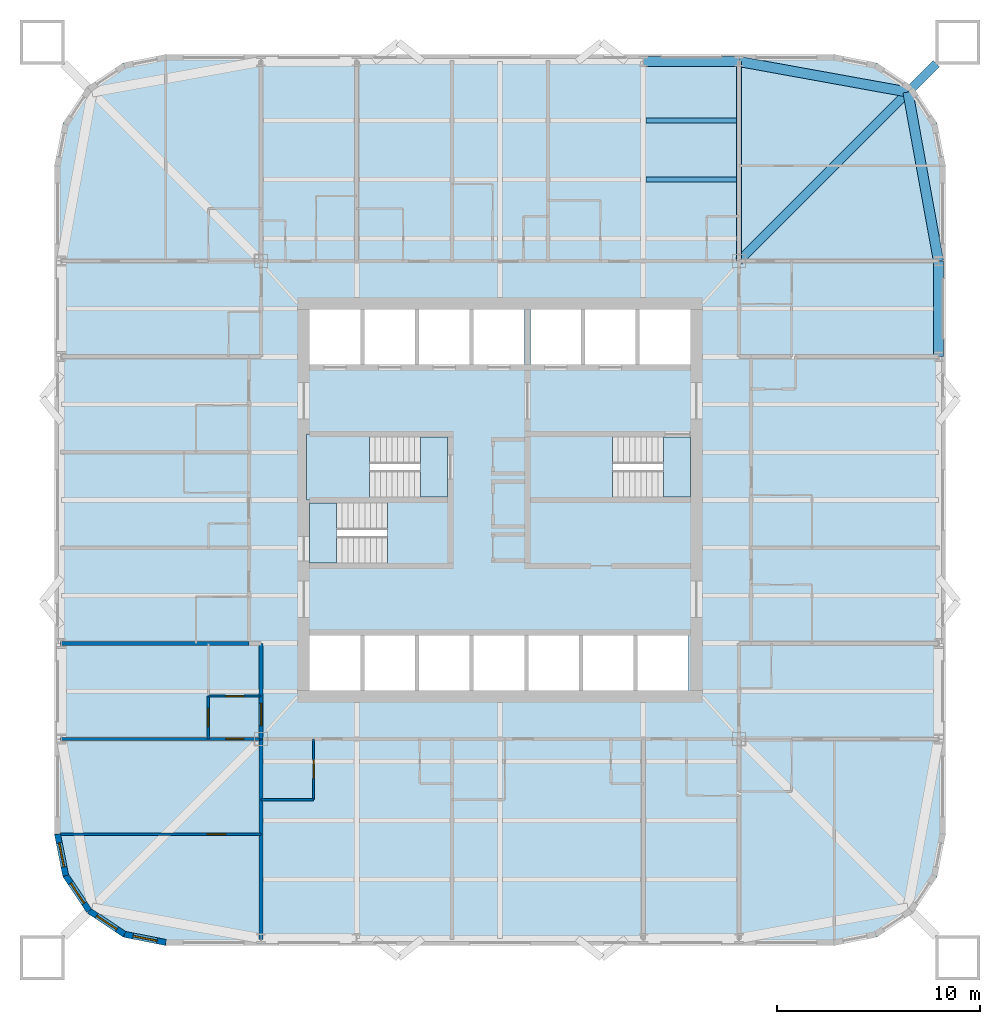
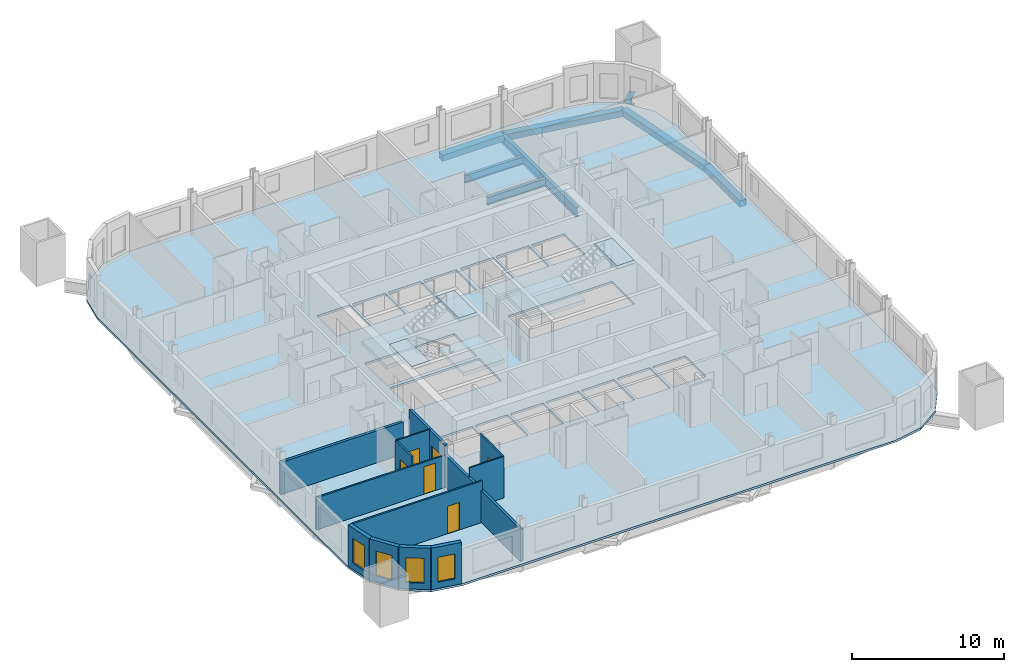
# One storey, part 2 of 9: 13 walls, 8 beams, 7 slabs, 6 doors, 4 windows, 10 openings, 3 elements without a shape of their own.
"""IFC4 building model written with IfcOpenShell, lengths in metres."""

from ifc_helpers import new_model, si_unit, direction, frame, frame_2d, origin, origin_2d, place, context, subcontext, project, spatial, polyline, rectangle, hollow_rectangle, i_section, outline, extrude, material, layer, layer_set, material_profile, profile_set, type_object, element, fill, aggregate, save


model = new_model("IFC4")

# Units and contexts
model_context = context("Model", 3, precision=1e-05, world=origin(), true_north=direction((0.0, 1.0)))
body_context = subcontext(model_context, "Body", "Model", "MODEL_VIEW")
ifc_project = project(units=[si_unit("LENGTHUNIT", "METRE"), si_unit("AREAUNIT", "SQUARE_METRE"), si_unit("VOLUMEUNIT", "CUBIC_METRE"), si_unit("PLANEANGLEUNIT", "RADIAN"), si_unit("MASSUNIT", "GRAM", prefix="KILO")], contexts=[model_context])

# Site, building, storey
site_placement = place(None, origin())
site = spatial("IfcSite", under=ifc_project, at=site_placement, CompositionType="ELEMENT")
building_placement = place(site_placement, origin())
building = spatial("IfcBuilding", under=site, at=building_placement, Name="Turquesa Mirador Hotel Tower", CompositionType="ELEMENT")
storey_placement = place(building_placement, frame((0.0, 0.0, 49.5)))
storey = spatial("IfcBuildingStorey", under=building, at=storey_placement, Name="L12", CompositionType="ELEMENT", Elevation=49.5)

# Beams
ifc_material_1 = material(Name="Steel ASTM A572 Grade 50", Category="steel")
ifc_material_profile_1 = material_profile(ifc_material_1, hollow_rectangle(XDim=0.5, YDim=0.5, WallThickness=0.01611328125, at=origin_2d()), Name="BOX500X500X16")
ifc_profile_set_1 = profile_set([ifc_material_profile_1], Name="Steel ASTM A572 Grade 50")
beam_type_1 = type_object("IfcBeamType", Name="BEAM BOX500X500X16", PredefinedType="BEAM", material=ifc_profile_set_1)
for number, where, z_axis, x_axis, name in (
    (1, (62.080078125, 66.64990234375, -0.419921875), (1.0, 0.0, 0.0), (0.0, 1.0, 0.0), "EB-L12-N-R"),
    (2, (76.64990234375, 52.080078125, -0.419921875), (0.0, 1.0, 0.0), (-1.0, 0.0, 0.0), "EB-L12-E-R"),
):
    element("IfcBeam", number, at=place(storey_placement, frame(where, z_axis=z_axis, x_axis=x_axis)), inside=storey, type_object=beam_type_1, Name=name, PredefinedType="BEAM", context=body_context, shape_type="SweptSolid", body=[
        extrude(hollow_rectangle(XDim=0.5, YDim=0.5, WallThickness=0.01611328125, at=origin_2d()), origin(), (0.0, 0.0, 1.0), 4.719970703125),
    ])
for number, where, z_axis, x_axis, name in (
    (3, (76.64990234375, 56.800048828125, -0.419921875), (-0.177932387818, 0.984042715214, 0.0), (-0.984042715214, -0.177932387818, 0.0), "KE-L12-1-0"),
    (4, (75.1416015625, 65.1416015625, -0.419921875), (-0.984042715214, 0.177932387818, 0.0), (-0.177932387818, -0.984042715214, 0.0), "KE-L12-1-1"),
):
    element("IfcBeam", number, at=place(storey_placement, frame(where, z_axis=z_axis, x_axis=x_axis)), inside=storey, type_object=beam_type_1, Name=name, PredefinedType="BEAM", context=body_context, shape_type="SweptSolid", body=[
        extrude(hollow_rectangle(XDim=0.5, YDim=0.5, WallThickness=0.01611328125, at=origin_2d()), origin(), (0.0, 0.0, 1.0), 8.476806640625),
    ])
ifc_material_2 = material(Name="Steel ASTM A992 Grade 50", Category="steel")
ifc_material_profile_2 = material_profile(ifc_material_2, i_section(OverallWidth=0.228271484375, OverallDepth=0.607177734375, WebThickness=0.01123046875, FlangeThickness=0.017333984375, at=origin_2d()), Name="W24X76")
ifc_profile_set_2 = profile_set([ifc_material_profile_2], Name="Steel ASTM A992 Grade 50")
beam_type_2 = type_object("IfcBeamType", Name="BEAM W24X76", PredefinedType="BEAM", material=ifc_profile_set_2)
for number, where, z_axis, x_axis, name in (
    (5, (62.21337890625, 60.824951171875, -0.4736328125), (1.0, 0.0, 0.0), (0.0, 1.0, 0.0), "IB-L12-N-2-3"),
    (6, (62.21337890625, 63.737060546875, -0.4736328125), (1.0, 0.0, 0.0), (0.0, 1.0, 0.0), "IB-L12-N-3-3"),
):
    element("IfcBeam", number, at=place(storey_placement, frame(where, z_axis=z_axis, x_axis=x_axis)), inside=storey, type_object=beam_type_2, Name=name, PredefinedType="BEAM", context=body_context, shape_type="SweptSolid", body=[
        extrude(i_section(OverallWidth=0.228271484375, OverallDepth=0.607177734375, WebThickness=0.01123046875, FlangeThickness=0.017333984375, at=origin_2d()), origin(), (0.0, 0.0, 1.0), 4.453369140625),
    ])
ifc_material_3 = material(Name="Steel ASTM A992 Grade 50", Category="steel")
ifc_material_profile_3 = material_profile(ifc_material_3, i_section(OverallWidth=0.2666015625, OverallDepth=0.7568359375, WebThickness=0.013916015625, FlangeThickness=0.019287109375, at=origin_2d()), Name="W30X108")
ifc_profile_set_3 = profile_set([ifc_material_profile_3], Name="Steel ASTM A992 Grade 50")
beam_type_3 = type_object("IfcBeamType", Name="BEAM W30X108", PredefinedType="BEAM", material=ifc_profile_set_3)
beam_1_placement = place(storey_placement, frame((66.800048828125, 66.64990234375, -0.54833984375), z_axis=(0.0, -1.0, 0.0), x_axis=(1.0, 0.0, 0.0)))
element("IfcBeam", 7, at=beam_1_placement, inside=storey, type_object=beam_type_3, Name="GK-L12-N-+11.80", PredefinedType="BEAM", context=body_context, shape_type="SweptSolid", body=[
    extrude(i_section(OverallWidth=0.2666015625, OverallDepth=0.7568359375, WebThickness=0.013916015625, FlangeThickness=0.019287109375, at=origin_2d()), origin(), (0.0, 0.0, 1.0), 9.849853515625),
])
ifc_material_4 = material(Name="Steel ASTM A992 Grade 50", Category="steel")
ifc_material_profile_4 = material_profile(ifc_material_4, i_section(OverallWidth=0.419189453125, OverallDepth=0.927001953125, WebThickness=0.019287109375, FlangeThickness=0.031982421875, at=origin_2d()), Name="W36X231")
ifc_profile_set_4 = profile_set([ifc_material_profile_4], Name="Steel ASTM A992 Grade 50")
beam_type_4 = type_object("IfcBeamType", Name="BEAM W36X231", PredefinedType="BEAM", material=ifc_profile_set_4)
beam_2_placement = place(storey_placement, frame((66.800048828125, 56.800048828125, -0.633544921875), z_axis=(0.707106781187, 0.707106781187, 0.0), x_axis=(-0.707106781187, 0.707106781187, 0.0)))
element("IfcBeam", 8, at=beam_2_placement, inside=storey, type_object=beam_type_4, Name="KD-L12-1", PredefinedType="BEAM", context=body_context, shape_type="SweptSolid", body=[
    extrude(i_section(OverallWidth=0.419189453125, OverallDepth=0.927001953125, WebThickness=0.019287109375, FlangeThickness=0.031982421875, at=origin_2d()), origin(), (0.0, 0.0, 1.0), 13.78857421875),
])

# Slab
ifc_material_5 = material(Name="Concrete C28/35", Category="concrete")
ifc_layer_1 = layer(ifc_material_5, 0.169921875)
ifc_layer_set_1 = layer_set([ifc_layer_1], Name="COMPOSITE FLOOR SLAB 170")
slab_type_1 = type_object("IfcSlabType", Name="COMPOSITE FLOOR SLAB 170", PredefinedType="FLOOR", material=ifc_layer_set_1)
slab_1_placement = place(storey_placement, frame((0.0, 0.0, -0.169921875)))
element("IfcSlab", 9, at=slab_1_placement, inside=storey, type_object=slab_type_1, Name="Floor slab L12", PredefinedType="FLOOR", context=body_context, shape_type="SweptSolid", body=[
    extrude(outline(polyline([(71.5, 23.0), (73.604736328125, 23.418701171875), (75.38916015625, 24.61083984375), (76.581298828125, 26.395263671875), (77.0, 28.5), (77.0, 61.5), (76.581298828125, 63.604736328125), (75.38916015625, 65.38916015625), (73.604736328125, 66.581298828125), (71.5, 67.0), (38.5, 67.0), (36.395263671875, 66.581298828125), (34.61083984375, 65.38916015625), (33.418701171875, 63.604736328125), (33.0, 61.5), (33.0, 28.5), (33.418701171875, 26.395263671875), (34.61083984375, 24.61083984375), (36.395263671875, 23.418701171875), (38.5, 23.0), (71.5, 23.0)]), holes=[polyline([(45.60009765625, 51.699951171875), (48.10009765625, 51.699951171875), (48.10009765625, 54.39990234375), (45.60009765625, 54.39990234375), (45.60009765625, 51.699951171875)]), polyline([(48.300048828125, 51.699951171875), (50.800048828125, 51.699951171875), (50.800048828125, 54.39990234375), (48.300048828125, 54.39990234375), (48.300048828125, 51.699951171875)]), polyline([(51.0, 51.699951171875), (53.5, 51.699951171875), (53.5, 54.39990234375), (51.0, 54.39990234375), (51.0, 51.699951171875)]), polyline([(53.699951171875, 51.699951171875), (56.199951171875, 51.699951171875), (56.199951171875, 54.39990234375), (53.699951171875, 54.39990234375), (53.699951171875, 51.699951171875)]), polyline([(56.5, 51.699951171875), (59.0, 51.699951171875), (59.0, 54.39990234375), (56.5, 54.39990234375), (56.5, 51.699951171875)]), polyline([(59.199951171875, 51.699951171875), (61.699951171875, 51.699951171875), (61.699951171875, 54.39990234375), (59.199951171875, 54.39990234375), (59.199951171875, 51.699951171875)]), polyline([(45.60009765625, 35.60009765625), (48.10009765625, 35.60009765625), (48.10009765625, 38.300048828125), (45.60009765625, 38.300048828125), (45.60009765625, 35.60009765625)]), polyline([(48.300048828125, 35.60009765625), (50.800048828125, 35.60009765625), (50.800048828125, 38.300048828125), (48.300048828125, 38.300048828125), (48.300048828125, 35.60009765625)]), polyline([(51.0, 35.60009765625), (53.5, 35.60009765625), (53.5, 38.300048828125), (51.0, 38.300048828125), (51.0, 35.60009765625)]), polyline([(53.699951171875, 35.60009765625), (56.199951171875, 35.60009765625), (56.199951171875, 38.300048828125), (53.699951171875, 38.300048828125), (53.699951171875, 35.60009765625)]), polyline([(56.39990234375, 35.60009765625), (58.89990234375, 35.60009765625), (58.89990234375, 38.300048828125), (56.39990234375, 38.300048828125), (56.39990234375, 35.60009765625)]), polyline([(59.10009765625, 35.60009765625), (61.60009765625, 35.60009765625), (61.60009765625, 38.300048828125), (59.10009765625, 38.300048828125), (59.10009765625, 35.60009765625)]), polyline([(61.800048828125, 35.60009765625), (64.300048828125, 35.60009765625), (64.300048828125, 38.300048828125), (61.800048828125, 38.300048828125), (61.800048828125, 35.60009765625)]), polyline([(45.60009765625, 45.14990234375), (52.39990234375, 45.14990234375), (52.39990234375, 48.10009765625), (45.60009765625, 48.10009765625), (45.60009765625, 45.14990234375)]), polyline([(45.60009765625, 41.89990234375), (52.39990234375, 41.89990234375), (52.39990234375, 44.85009765625), (45.60009765625, 44.85009765625), (45.60009765625, 41.89990234375)]), polyline([(56.5, 45.14990234375), (64.39990234375, 45.14990234375), (64.39990234375, 48.10009765625), (56.5, 48.10009765625), (56.5, 45.14990234375)]), polyline([(61.89990234375, 51.699951171875), (64.39990234375, 51.699951171875), (64.39990234375, 54.39990234375), (61.89990234375, 54.39990234375), (61.89990234375, 51.699951171875)])]), origin(), (0.0, 0.0, 1.0), 0.169921875),
])

# Stair, slabs
ifc_material_6 = material(Name="Concrete C35/45", Category="concrete")
stair_type = type_object("IfcStairType", Name="ESCAPE STAIR CORE", PredefinedType="HALF_TURN_STAIR", material=ifc_material_6)
stair_1_placement = place(storey_placement, origin())
stair_1 = element("IfcStair", 10, at=stair_1_placement, inside=storey, type_object=stair_type, Name="Stair ST1 L12 to L13", PredefinedType="HALF_TURN_STAIR")
ifc_material_7 = material(Name="Concrete C35/45", Category="concrete")
ifc_layer_2 = layer(ifc_material_7, 0.300048828125)
ifc_layer_set_2 = layer_set([ifc_layer_2], Name="STAIR LANDING 300")
slab_type_2 = type_object("IfcSlabType", Name="STAIR LANDING 300", PredefinedType="LANDING", material=ifc_layer_set_2)
slab_2_placement = place(storey_placement, frame((0.0, 0.0, 1.449951171875)))
slab_2 = element("IfcSlab", 11, at=slab_2_placement, type_object=slab_type_2, Name="ST1 landing 1", PredefinedType="LANDING", context=body_context, shape_type="SweptSolid", body=[
    extrude(outline(polyline([(45.449951171875, 45.0), (48.550048828125, 45.0), (48.550048828125, 48.25), (45.449951171875, 48.25), (45.449951171875, 45.0)])), origin(), (0.0, 0.0, 1.0), 0.300048828125),
])
slab_3_placement = place(storey_placement, frame((0.0, 0.0, 3.199951171875)))
slab_3 = element("IfcSlab", 12, at=slab_3_placement, type_object=slab_type_2, Name="ST1 landing 2", PredefinedType="LANDING", context=body_context, shape_type="SweptSolid", body=[
    extrude(outline(polyline([(51.070068359375, 45.14990234375), (52.39990234375, 45.14990234375), (52.39990234375, 48.10009765625), (51.070068359375, 48.10009765625), (51.070068359375, 45.14990234375)])), origin(), (0.0, 0.0, 1.0), 0.300048828125),
])
aggregate(stair_1, [slab_2, slab_3])

stair_2_placement = place(storey_placement, origin())
stair_2 = element("IfcStair", 13, at=stair_2_placement, inside=storey, type_object=stair_type, Name="Stair ST2 L12 to L13", PredefinedType="HALF_TURN_STAIR")
slab_4_placement = place(storey_placement, frame((0.0, 0.0, 1.449951171875)))
slab_4 = element("IfcSlab", 14, at=slab_4_placement, type_object=slab_type_2, Name="ST2 landing 1", PredefinedType="LANDING", context=body_context, shape_type="SweptSolid", body=[
    extrude(outline(polyline([(52.550048828125, 45.0), (49.449951171875, 45.0), (49.449951171875, 41.75), (52.550048828125, 41.75), (52.550048828125, 45.0)])), origin(), (0.0, 0.0, 1.0), 0.300048828125),
])
slab_5_placement = place(storey_placement, frame((0.0, 0.0, 3.199951171875)))
slab_5 = element("IfcSlab", 15, at=slab_5_placement, type_object=slab_type_2, Name="ST2 landing 2", PredefinedType="LANDING", context=body_context, shape_type="SweptSolid", body=[
    extrude(outline(polyline([(46.929931640625, 44.85009765625), (45.60009765625, 44.85009765625), (45.60009765625, 41.89990234375), (46.929931640625, 41.89990234375), (46.929931640625, 44.85009765625)])), origin(), (0.0, 0.0, 1.0), 0.300048828125),
])
aggregate(stair_2, [slab_4, slab_5])

stair_3_placement = place(storey_placement, origin())
stair_3 = element("IfcStair", 16, at=stair_3_placement, inside=storey, type_object=stair_type, Name="Stair ST3 L12 to L13", PredefinedType="HALF_TURN_STAIR")
slab_6_placement = place(storey_placement, frame((0.0, 0.0, 1.449951171875)))
slab_6 = element("IfcSlab", 17, at=slab_6_placement, type_object=slab_type_2, Name="ST3 landing 1", PredefinedType="LANDING", context=body_context, shape_type="SweptSolid", body=[
    extrude(outline(polyline([(56.35009765625, 45.0), (60.550048828125, 45.0), (60.550048828125, 48.25), (56.35009765625, 48.25), (56.35009765625, 45.0)])), origin(), (0.0, 0.0, 1.0), 0.300048828125),
])
slab_7_placement = place(storey_placement, frame((0.0, 0.0, 3.199951171875)))
slab_7 = element("IfcSlab", 18, at=slab_7_placement, type_object=slab_type_2, Name="ST3 landing 2", PredefinedType="LANDING", context=body_context, shape_type="SweptSolid", body=[
    extrude(outline(polyline([(63.070068359375, 45.14990234375), (64.39990234375, 45.14990234375), (64.39990234375, 48.10009765625), (63.070068359375, 48.10009765625), (63.070068359375, 45.14990234375)])), origin(), (0.0, 0.0, 1.0), 0.300048828125),
])
aggregate(stair_3, [slab_6, slab_7])

# Wall
ifc_material_8 = material(Name="Gypsum board on steel studs", Category="steel")
ifc_layer_3 = layer(ifc_material_8, 0.10009765625)
ifc_layer_set_3 = layer_set([ifc_layer_3], Name="BATHROOM WALL 100")
wall_type_1 = type_object("IfcWallType", Name="BATHROOM WALL 100", PredefinedType="PARTITIONING", material=ifc_layer_set_3)
wall_1_placement = place(storey_placement, frame((43.199951171875, 30.199951171875, 0.0), z_axis=(0.0, 0.0, 1.0), x_axis=(1.0, 0.0, 0.0)))
element("IfcWall", 19, at=wall_1_placement, inside=storey, type_object=wall_type_1, Name="Partition L12 010", PredefinedType="PARTITIONING", context=body_context, shape_type="SweptSolid", body=[
    extrude(rectangle(XDim=2.60009765625, YDim=0.10009765625, at=frame_2d((1.300048828125, 0.0))), origin(), (0.0, 0.0, 1.0), 3.330078125),
])

# Wall, opening, door
wall_2_placement = place(storey_placement, frame((40.60009765625, 35.320068359375, 0.0), z_axis=(0.0, 0.0, 1.0), x_axis=(1.0, 0.0, 0.0)))
wall_2 = element("IfcWall", 20, at=wall_2_placement, inside=storey, type_object=wall_type_1, Name="Partition L12 022", PredefinedType="PARTITIONING", context=body_context, shape_type="SweptSolid", body=[
    extrude(rectangle(XDim=2.599853515625, YDim=0.10009765625, at=frame_2d((1.2998046875, 0.0))), origin(), (0.0, 0.0, 1.0), 3.330078125),
])
opening_1_placement = place(wall_2_placement, frame((0.85009765625, 0.0, 0.0)))
opening_1 = element("IfcOpeningElement", 21, at=opening_1_placement, cuts=wall_2, Name="Opening D02", PredefinedType="OPENING", context=body_context, shape_type="SweptSolid", body=[
    extrude(rectangle(XDim=0.89990234375, YDim=2.10009765625, at=frame_2d((0.449951171875, 1.050048828125))), frame((0.0, 0.06005859375, 0.0), z_axis=(0.0, -1.0, 0.0), x_axis=(1.0, 0.0, 0.0)), (0.0, 0.0, 1.0), 0.1201171875),
])
ifc_material_9 = material(Name="Timber veneered door", Category="wood")
door_type_1 = type_object("IfcDoorType", Name="DOOR 900X2100 EN-SUITE", OperationType="SINGLE_SWING_RIGHT", PredefinedType="DOOR", material=ifc_material_9)
door_1_placement = place(opening_1_placement, origin())
door_1 = element("IfcDoor", 22, at=door_1_placement, inside=storey, type_object=door_type_1, Name="Door 1215B", OperationType="SINGLE_SWING_RIGHT", OverallHeight=2.10009765625, OverallWidth=0.89990234375, PredefinedType="DOOR", context=body_context, shape_type="SweptSolid", body=[
    extrude(rectangle(XDim=0.89990234375, YDim=2.10009765625, at=frame_2d((0.449951171875, 1.050048828125))), frame((0.0, 0.02490234375, 0.0), z_axis=(0.0, -1.0, 0.0), x_axis=(1.0, 0.0, 0.0)), (0.0, 0.0, 1.0), 0.050048828125),
])
fill(opening_1, door_1)

wall_3_placement = place(storey_placement, frame((45.800048828125, 30.199951171875, 0.0), z_axis=(0.0, 0.0, 1.0), x_axis=(0.0, 1.0, 0.0)))
wall_3 = element("IfcWall", 23, at=wall_3_placement, inside=storey, type_object=wall_type_1, Name="Partition L12 070", PredefinedType="PARTITIONING", context=body_context, shape_type="SweptSolid", body=[
    extrude(rectangle(XDim=3.0, YDim=0.10009765625, at=frame_2d((1.5, 0.0))), origin(), (0.0, 0.0, 1.0), 3.330078125),
])
opening_2_placement = place(wall_3_placement, frame((1.050048828125, 0.0, 0.0)))
opening_2 = element("IfcOpeningElement", 24, at=opening_2_placement, cuts=wall_3, Name="Opening D02", PredefinedType="OPENING", context=body_context, shape_type="SweptSolid", body=[
    extrude(rectangle(XDim=0.89990234375, YDim=2.10009765625, at=frame_2d((0.449951171875, 1.050048828125))), frame((0.0, 0.06005859375, 0.0), z_axis=(0.0, -1.0, 0.0), x_axis=(1.0, 0.0, 0.0)), (0.0, 0.0, 1.0), 0.1201171875),
])
door_2_placement = place(opening_2_placement, origin())
door_2 = element("IfcDoor", 25, at=door_2_placement, inside=storey, type_object=door_type_1, Name="Door 1205B", OperationType="SINGLE_SWING_RIGHT", OverallHeight=2.10009765625, OverallWidth=0.89990234375, PredefinedType="DOOR", context=body_context, shape_type="SweptSolid", body=[
    extrude(rectangle(XDim=0.89990234375, YDim=2.10009765625, at=frame_2d((0.449951171875, 1.050048828125))), frame((0.0, 0.02490234375, 0.0), z_axis=(0.0, -1.0, 0.0), x_axis=(1.0, 0.0, 0.0)), (0.0, 0.0, 1.0), 0.050048828125),
])
fill(opening_2, door_2)

ifc_material_10 = material(Name="Fire-rated gypsum board on steel studs", Category="steel")
ifc_layer_4 = layer(ifc_material_10, 0.199951171875)
ifc_layer_set_4 = layer_set([ifc_layer_4], Name="CORRIDOR WALL 200")
wall_type_2 = type_object("IfcWallType", Name="CORRIDOR WALL 200", PredefinedType="PARTITIONING", material=ifc_layer_set_4)
wall_4_placement = place(storey_placement, frame((43.199951171875, 33.199951171875, 0.0), z_axis=(0.0, 0.0, 1.0), x_axis=(0.0, 1.0, 0.0)))
wall_4 = element("IfcWall", 26, at=wall_4_placement, inside=storey, type_object=wall_type_2, Name="Partition L12 050", PredefinedType="PARTITIONING", context=body_context, shape_type="SweptSolid", body=[
    extrude(rectangle(XDim=4.719970703125, YDim=0.199951171875, at=frame_2d((2.35986328125, 0.0))), origin(), (0.0, 0.0, 1.0), 3.330078125),
])
opening_3_placement = place(wall_4_placement, frame((0.659912109375, 0.0, 0.0)))
opening_3 = element("IfcOpeningElement", 27, at=opening_3_placement, cuts=wall_4, Name="Opening D15", PredefinedType="OPENING", context=body_context, shape_type="SweptSolid", body=[
    extrude(rectangle(XDim=1.10009765625, YDim=2.199951171875, at=frame_2d((0.550048828125, 1.10009765625))), frame((0.0, 0.10986328125, 0.0), z_axis=(0.0, -1.0, 0.0), x_axis=(1.0, 0.0, 0.0)), (0.0, 0.0, 1.0), 0.219970703125),
])
ifc_material_11 = material(Name="Timber veneered fire door", Category="wood")
door_type_2 = type_object("IfcDoorType", Name="DOOR 1100X2200 SUITE ENTRY", OperationType="SINGLE_SWING_LEFT", PredefinedType="DOOR", material=ifc_material_11)
door_3_placement = place(opening_3_placement, origin())
door_3 = element("IfcDoor", 28, at=door_3_placement, inside=storey, type_object=door_type_2, Name="Door 1215H", OperationType="SINGLE_SWING_LEFT", OverallHeight=2.199951171875, OverallWidth=1.10009765625, PredefinedType="DOOR", context=body_context, shape_type="SweptSolid", body=[
    extrude(rectangle(XDim=1.10009765625, YDim=2.199951171875, at=frame_2d((0.550048828125, 1.10009765625))), frame((0.0, 0.02490234375, 0.0), z_axis=(0.0, -1.0, 0.0), x_axis=(1.0, 0.0, 0.0)), (0.0, 0.0, 1.0), 0.050048828125),
])
fill(opening_3, door_3)

# Wall, opening, window
ifc_material_12 = material(Name="Limestone cladding on concrete block", Category="masonry")
ifc_layer_5 = layer(ifc_material_12, 0.300048828125)
ifc_layer_set_5 = layer_set([ifc_layer_5], Name="FACADE WALL 300 STONE SCREEN")
wall_type_3 = type_object("IfcWallType", Name="FACADE WALL 300 STONE SCREEN", PredefinedType="SOLIDWALL", material=ifc_layer_set_5)
wall_5_placement = place(storey_placement, frame((33.14990234375, 28.5, 0.0), z_axis=(0.0, 0.0, 1.0), x_axis=(0.195081421501, -0.980787050784, 0.0)))
wall_5 = element("IfcWall", 29, at=wall_5_placement, inside=storey, type_object=wall_type_3, Name="Facade wall L12 15", PredefinedType="SOLIDWALL", context=body_context, shape_type="SweptSolid", body=[
    extrude(rectangle(XDim=2.08740234375, YDim=0.300048828125, at=frame_2d((1.043701171875, 0.0))), origin(), (0.0, 0.0, 1.0), 3.330078125),
])
opening_4_placement = place(wall_5_placement, frame((0.443603515625, 0.0, 0.5)))
opening_4 = element("IfcOpeningElement", 30, at=opening_4_placement, cuts=wall_5, Name="Opening WN4", PredefinedType="OPENING", context=body_context, shape_type="SweptSolid", body=[
    extrude(rectangle(XDim=1.199951171875, YDim=2.0, at=frame_2d((0.60009765625, 1.0))), frame((0.0, 0.159912109375, 0.0), z_axis=(0.0, -1.0, 0.0), x_axis=(1.0, 0.0, 0.0)), (0.0, 0.0, 1.0), 0.320068359375),
])
ifc_material_13 = material(Name="Ceramic-fritted laminated glass", Category="glass")
window_type = type_object("IfcWindowType", Name="FRITTED CORNER WINDOW 1200X2000", PartitioningType="DOUBLE_PANEL_HORIZONTAL", PredefinedType="WINDOW", material=ifc_material_13)
window_1_placement = place(opening_4_placement, origin())
window_1 = element("IfcWindow", 31, at=window_1_placement, inside=storey, type_object=window_type, Name="Window L12", OverallHeight=2.0, OverallWidth=1.199951171875, PartitioningType="SINGLE_PANEL", PredefinedType="WINDOW", context=body_context, shape_type="SweptSolid", body=[
    extrude(rectangle(XDim=1.199951171875, YDim=2.0, at=frame_2d((0.60009765625, 1.0))), frame((0.0, 0.030029296875, 0.0), z_axis=(0.0, -1.0, 0.0), x_axis=(1.0, 0.0, 0.0)), (0.0, 0.0, 1.0), 0.06005859375),
])
fill(opening_4, window_1)

wall_6_placement = place(storey_placement, frame((33.55712890625, 26.45263671875, 0.0), z_axis=(0.0, 0.0, 1.0), x_axis=(0.555644460423, -0.831420010345, 0.0)))
wall_6 = element("IfcWall", 32, at=wall_6_placement, inside=storey, type_object=wall_type_3, Name="Facade wall L12 16", PredefinedType="SOLIDWALL", context=body_context, shape_type="SweptSolid", body=[
    extrude(rectangle(XDim=2.08740234375, YDim=0.300048828125, at=frame_2d((1.043701171875, 0.0))), origin(), (0.0, 0.0, 1.0), 3.330078125),
])
opening_5_placement = place(wall_6_placement, frame((0.443603515625, 0.0, 0.5)))
opening_5 = element("IfcOpeningElement", 33, at=opening_5_placement, cuts=wall_6, Name="Opening WN4", PredefinedType="OPENING", context=body_context, shape_type="SweptSolid", body=[
    extrude(rectangle(XDim=1.199951171875, YDim=2.0, at=frame_2d((0.60009765625, 1.0))), frame((0.0, 0.159912109375, 0.0), z_axis=(0.0, -1.0, 0.0), x_axis=(1.0, 0.0, 0.0)), (0.0, 0.0, 1.0), 0.320068359375),
])
window_2_placement = place(opening_5_placement, origin())
window_2 = element("IfcWindow", 34, at=window_2_placement, inside=storey, type_object=window_type, Name="Window L12", OverallHeight=2.0, OverallWidth=1.199951171875, PartitioningType="SINGLE_PANEL", PredefinedType="WINDOW", context=body_context, shape_type="SweptSolid", body=[
    extrude(rectangle(XDim=1.199951171875, YDim=2.0, at=frame_2d((0.60009765625, 1.0))), frame((0.0, 0.030029296875, 0.0), z_axis=(0.0, -1.0, 0.0), x_axis=(1.0, 0.0, 0.0)), (0.0, 0.0, 1.0), 0.06005859375),
])
fill(opening_5, window_2)

wall_7_placement = place(storey_placement, frame((34.717041015625, 24.717041015625, 0.0), z_axis=(0.0, 0.0, 1.0), x_axis=(0.831420010345, -0.555644460423, 0.0)))
wall_7 = element("IfcWall", 35, at=wall_7_placement, inside=storey, type_object=wall_type_3, Name="Facade wall L12 17", PredefinedType="SOLIDWALL", context=body_context, shape_type="SweptSolid", body=[
    extrude(rectangle(XDim=2.08740234375, YDim=0.300048828125, at=frame_2d((1.043701171875, 0.0))), origin(), (0.0, 0.0, 1.0), 3.330078125),
])
opening_6_placement = place(wall_7_placement, frame((0.443603515625, 0.0, 0.5)))
opening_6 = element("IfcOpeningElement", 36, at=opening_6_placement, cuts=wall_7, Name="Opening WN4", PredefinedType="OPENING", context=body_context, shape_type="SweptSolid", body=[
    extrude(rectangle(XDim=1.199951171875, YDim=2.0, at=frame_2d((0.60009765625, 1.0))), frame((0.0, 0.159912109375, 0.0), z_axis=(0.0, -1.0, 0.0), x_axis=(1.0, 0.0, 0.0)), (0.0, 0.0, 1.0), 0.320068359375),
])
window_3_placement = place(opening_6_placement, origin())
window_3 = element("IfcWindow", 37, at=window_3_placement, inside=storey, type_object=window_type, Name="Window L12", OverallHeight=2.0, OverallWidth=1.199951171875, PartitioningType="SINGLE_PANEL", PredefinedType="WINDOW", context=body_context, shape_type="SweptSolid", body=[
    extrude(rectangle(XDim=1.199951171875, YDim=2.0, at=frame_2d((0.60009765625, 1.0))), frame((0.0, 0.030029296875, 0.0), z_axis=(0.0, -1.0, 0.0), x_axis=(1.0, 0.0, 0.0)), (0.0, 0.0, 1.0), 0.06005859375),
])
fill(opening_6, window_3)

wall_8_placement = place(storey_placement, frame((36.45263671875, 23.55712890625, 0.0), z_axis=(0.0, 0.0, 1.0), x_axis=(0.980787050784, -0.195081421501, 0.0)))
wall_8 = element("IfcWall", 38, at=wall_8_placement, inside=storey, type_object=wall_type_3, Name="Facade wall L12 18", PredefinedType="SOLIDWALL", context=body_context, shape_type="SweptSolid", body=[
    extrude(rectangle(XDim=2.08740234375, YDim=0.300048828125, at=frame_2d((1.043701171875, 0.0))), origin(), (0.0, 0.0, 1.0), 3.330078125),
])
opening_7_placement = place(wall_8_placement, frame((0.443603515625, 0.0, 0.5)))
opening_7 = element("IfcOpeningElement", 39, at=opening_7_placement, cuts=wall_8, Name="Opening WN4", PredefinedType="OPENING", context=body_context, shape_type="SweptSolid", body=[
    extrude(rectangle(XDim=1.199951171875, YDim=2.0, at=frame_2d((0.60009765625, 1.0))), frame((0.0, 0.159912109375, 0.0), z_axis=(0.0, -1.0, 0.0), x_axis=(1.0, 0.0, 0.0)), (0.0, 0.0, 1.0), 0.320068359375),
])
window_4_placement = place(opening_7_placement, origin())
window_4 = element("IfcWindow", 40, at=window_4_placement, inside=storey, type_object=window_type, Name="Window L12", OverallHeight=2.0, OverallWidth=1.199951171875, PartitioningType="SINGLE_PANEL", PredefinedType="WINDOW", context=body_context, shape_type="SweptSolid", body=[
    extrude(rectangle(XDim=1.199951171875, YDim=2.0, at=frame_2d((0.60009765625, 1.0))), frame((0.0, 0.030029296875, 0.0), z_axis=(0.0, -1.0, 0.0), x_axis=(1.0, 0.0, 0.0)), (0.0, 0.0, 1.0), 0.06005859375),
])
fill(opening_7, window_4)

# Walls
ifc_material_14 = material(Name="Fire-rated gypsum board on steel studs", Category="steel")
ifc_layer_6 = layer(ifc_material_14, 0.199951171875)
ifc_layer_set_6 = layer_set([ifc_layer_6], Name="PARTY WALL 200")
wall_type_4 = type_object("IfcWallType", Name="PARTY WALL 200", PredefinedType="PARTITIONING", material=ifc_layer_set_6)
wall_9_placement = place(storey_placement, frame((33.300048828125, 37.919921875, 0.0), z_axis=(0.0, 0.0, 1.0), x_axis=(1.0, 0.0, 0.0)))
element("IfcWall", 41, at=wall_9_placement, inside=storey, type_object=wall_type_4, Name="Partition L12 019", PredefinedType="PARTITIONING", context=body_context, shape_type="SweptSolid", body=[
    extrude(rectangle(XDim=9.300048828125, YDim=0.199951171875, at=frame_2d((4.64990234375, 0.0))), origin(), (0.0, 0.0, 1.0), 2.572998046875),
])
wall_10_placement = place(storey_placement, frame((43.199951171875, 23.300048828125, 0.0), z_axis=(0.0, 0.0, 1.0), x_axis=(0.0, 1.0, 0.0)))
element("IfcWall", 42, at=wall_10_placement, inside=storey, type_object=wall_type_4, Name="Partition L12 052", PredefinedType="PARTITIONING", context=body_context, shape_type="SweptSolid", body=[
    extrude(rectangle(XDim=9.89990234375, YDim=0.199951171875, at=frame_2d((4.949951171875, 0.0))), origin(), (0.0, 0.0, 1.0), 2.572998046875),
])

# Wall, opening, door
ifc_material_15 = material(Name="Acoustic gypsum board on steel studs", Category="steel")
ifc_layer_7 = layer(ifc_material_15, 0.125)
ifc_layer_set_7 = layer_set([ifc_layer_7], Name="SUITE PARTITION 125")
wall_type_5 = type_object("IfcWallType", Name="SUITE PARTITION 125", PredefinedType="PARTITIONING", material=ifc_layer_set_7)
wall_11_placement = place(storey_placement, frame((33.300048828125, 33.199951171875, 0.0), z_axis=(0.0, 0.0, 1.0), x_axis=(1.0, 0.0, 0.0)))
wall_11 = element("IfcWall", 43, at=wall_11_placement, inside=storey, type_object=wall_type_5, Name="Partition L12 004", PredefinedType="PARTITIONING", context=body_context, shape_type="SweptSolid", body=[
    extrude(rectangle(XDim=9.89990234375, YDim=0.125, at=frame_2d((4.949951171875, 0.0))), origin(), (0.0, 0.0, 1.0), 2.572998046875),
])
opening_8_placement = place(wall_11_placement, frame((8.14990234375, 0.0, 0.0)))
opening_8 = element("IfcOpeningElement", 44, at=opening_8_placement, cuts=wall_11, Name="Opening D17", PredefinedType="OPENING", context=body_context, shape_type="SweptSolid", body=[
    extrude(rectangle(XDim=0.89990234375, YDim=2.199951171875, at=frame_2d((0.449951171875, 1.10009765625))), frame((0.0, 0.072509765625, 0.0), z_axis=(0.0, -1.0, 0.0), x_axis=(1.0, 0.0, 0.0)), (0.0, 0.0, 1.0), 0.14501953125),
])
ifc_material_16 = material(Name="Timber veneered door", Category="wood")
door_type_3 = type_object("IfcDoorType", Name="DOOR 900X2200 SUITE INTERNAL", OperationType="SINGLE_SWING_LEFT", PredefinedType="DOOR", material=ifc_material_16)
door_4_placement = place(opening_8_placement, origin())
door_4 = element("IfcDoor", 45, at=door_4_placement, inside=storey, type_object=door_type_3, Name="Door 1215", OperationType="SINGLE_SWING_LEFT", OverallHeight=2.199951171875, OverallWidth=0.89990234375, PredefinedType="DOOR", context=body_context, shape_type="SweptSolid", body=[
    extrude(rectangle(XDim=0.89990234375, YDim=2.199951171875, at=frame_2d((0.449951171875, 1.10009765625))), frame((0.0, 0.02490234375, 0.0), z_axis=(0.0, -1.0, 0.0), x_axis=(1.0, 0.0, 0.0)), (0.0, 0.0, 1.0), 0.050048828125),
])
fill(opening_8, door_4)

wall_12_placement = place(storey_placement, frame((33.305908203125, 28.5, 0.0), z_axis=(0.0, 0.0, 1.0), x_axis=(1.0, 0.0, 0.0)))
wall_12 = element("IfcWall", 46, at=wall_12_placement, inside=storey, type_object=wall_type_5, Name="Partition L12 012", PredefinedType="PARTITIONING", context=body_context, shape_type="SweptSolid", body=[
    extrude(rectangle(XDim=9.89404296875, YDim=0.125, at=frame_2d((4.947021484375, 0.0))), origin(), (0.0, 0.0, 1.0), 3.330078125),
])
opening_9_placement = place(wall_12_placement, frame((7.244140625, 0.0, 0.0)))
opening_9 = element("IfcOpeningElement", 47, at=opening_9_placement, cuts=wall_12, Name="Opening D17", PredefinedType="OPENING", context=body_context, shape_type="SweptSolid", body=[
    extrude(rectangle(XDim=0.89990234375, YDim=2.199951171875, at=frame_2d((0.449951171875, 1.10009765625))), frame((0.0, 0.072509765625, 0.0), z_axis=(0.0, -1.0, 0.0), x_axis=(1.0, 0.0, 0.0)), (0.0, 0.0, 1.0), 0.14501953125),
])
door_5_placement = place(opening_9_placement, origin())
door_5 = element("IfcDoor", 48, at=door_5_placement, inside=storey, type_object=door_type_3, Name="Door 1215M", OperationType="SINGLE_SWING_LEFT", OverallHeight=2.199951171875, OverallWidth=0.89990234375, PredefinedType="DOOR", context=body_context, shape_type="SweptSolid", body=[
    extrude(rectangle(XDim=0.89990234375, YDim=2.199951171875, at=frame_2d((0.449951171875, 1.10009765625))), frame((0.0, 0.02490234375, 0.0), z_axis=(0.0, -1.0, 0.0), x_axis=(1.0, 0.0, 0.0)), (0.0, 0.0, 1.0), 0.050048828125),
])
fill(opening_9, door_5)

wall_13_placement = place(storey_placement, frame((40.60009765625, 33.199951171875, 0.0), z_axis=(0.0, 0.0, 1.0), x_axis=(0.0, 1.0, 0.0)))
wall_13 = element("IfcWall", 49, at=wall_13_placement, inside=storey, type_object=wall_type_5, Name="Partition L12 059", PredefinedType="PARTITIONING", context=body_context, shape_type="SweptSolid", body=[
    extrude(rectangle(XDim=2.1201171875, YDim=0.125, at=frame_2d((1.06005859375, 0.0))), origin(), (0.0, 0.0, 1.0), 3.330078125),
])
opening_10_placement = place(wall_13_placement, frame((0.610107421875, 0.0, 0.0)))
opening_10 = element("IfcOpeningElement", 50, at=opening_10_placement, cuts=wall_13, Name="Opening D17", PredefinedType="OPENING", context=body_context, shape_type="SweptSolid", body=[
    extrude(rectangle(XDim=0.89990234375, YDim=2.199951171875, at=frame_2d((0.449951171875, 1.10009765625))), frame((0.0, 0.072509765625, 0.0), z_axis=(0.0, -1.0, 0.0), x_axis=(1.0, 0.0, 0.0)), (0.0, 0.0, 1.0), 0.14501953125),
])
door_6_placement = place(opening_10_placement, origin())
door_6 = element("IfcDoor", 51, at=door_6_placement, inside=storey, type_object=door_type_3, Name="Door 1215R", OperationType="SINGLE_SWING_LEFT", OverallHeight=2.199951171875, OverallWidth=0.89990234375, PredefinedType="DOOR", context=body_context, shape_type="SweptSolid", body=[
    extrude(rectangle(XDim=0.89990234375, YDim=2.199951171875, at=frame_2d((0.449951171875, 1.10009765625))), frame((0.0, 0.02490234375, 0.0), z_axis=(0.0, -1.0, 0.0), x_axis=(1.0, 0.0, 0.0)), (0.0, 0.0, 1.0), 0.050048828125),
])
fill(opening_10, door_6)

save(model, "model.ifc")
